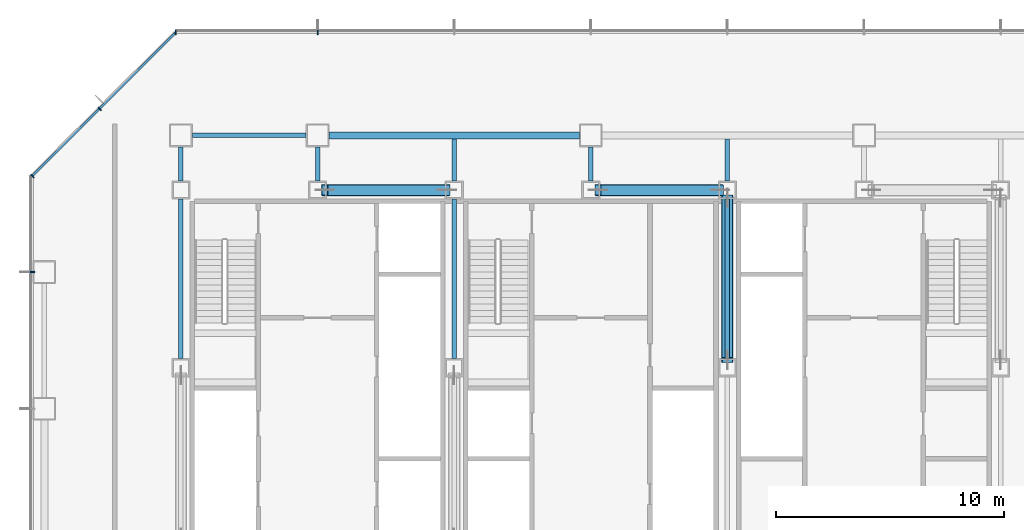
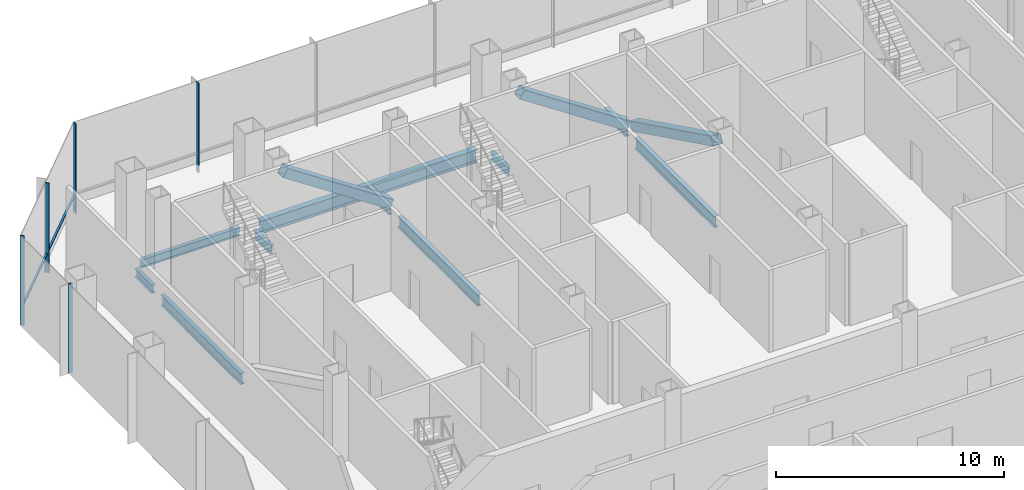
# One storey, part 13 of 33: 10 beams, 9 members, 3 elements without a shape of their own.
"""IFC4 building model written with IfcOpenShell, lengths in metres."""

from ifc_helpers import new_model, si_unit, direction, frame, origin, origin_2d, place, context, subcontext, project, spatial, rectangle, hollow_rectangle, i_section, extrude, material, material_profile, profile_set, type_object, element, aggregate, save


model = new_model("IFC4")

# Units and contexts
model_context = context("Model", 3, precision=1e-05, world=origin(), true_north=direction((0.0, 1.0)))
body_context = subcontext(model_context, "Body", "Model", "MODEL_VIEW")
ifc_project = project(units=[si_unit("LENGTHUNIT", "METRE"), si_unit("AREAUNIT", "SQUARE_METRE"), si_unit("VOLUMEUNIT", "CUBIC_METRE"), si_unit("PLANEANGLEUNIT", "RADIAN"), si_unit("MASSUNIT", "GRAM", prefix="KILO")], contexts=[model_context])

# Site, building, storey
site_placement = place(None, origin())
site = spatial("IfcSite", under=ifc_project, at=site_placement, CompositionType="ELEMENT")
building_placement = place(site_placement, origin())
building = spatial("IfcBuilding", under=site, at=building_placement, Name="Sorahane Residences", CompositionType="ELEMENT")
storey_placement = place(building_placement, frame((0.0, 0.0, 34.800048828125)))
storey = spatial("IfcBuildingStorey", under=building, at=storey_placement, Name="L05", CompositionType="ELEMENT", Elevation=34.800048828125)

# Members
ifc_material_1 = material(Name="Steel Q355B", Category="steel")
ifc_material_profile_1 = material_profile(ifc_material_1, hollow_rectangle(XDim=0.5, YDim=0.5, WallThickness=0.02490234375, InnerFilletRadius=0.012451171875, OuterFilletRadius=0.03759765625, at=origin_2d()), Name="RHS 500x500x25")
ifc_profile_set_1 = profile_set([ifc_material_profile_1], Name="Steel Q355B")
member_type_1 = type_object("IfcMemberType", Name="Core brace RHS 500x500x25 Q355B", PredefinedType="BRACE", material=ifc_profile_set_1)
for number, where, z_axis, x_axis, name in (
    (1, (17.682861328125, 45.60009765625, 0.19482421875), (-0.833273178454, 0.0, 0.552861474575), (0.0, -1.0, 0.0), "Core brace L05 y45.6-2"),
    (2, (29.682861328125, 45.60009765625, 0.19482421875), (-0.833273178454, 0.0, 0.552861474575), (0.0, -1.0, 0.0), "Core brace L05 y45.6-4"),
):
    element("IfcMember", number, at=place(storey_placement, frame(where, z_axis=z_axis, x_axis=x_axis)), inside=storey, type_object=member_type_1, Name=name, PredefinedType="BRACE", context=body_context, shape_type="SweptSolid", body=[
        extrude(hollow_rectangle(XDim=0.5, YDim=0.5, WallThickness=0.02490234375, InnerFilletRadius=0.012451171875, OuterFilletRadius=0.03759765625, at=origin_2d()), origin(), (0.0, 0.0, 1.0), 6.439453125),
    ])
member_1_placement = place(storey_placement, frame((30.0, 45.266357421875, 0.21728515625), z_axis=(0.0, -0.89697311716, 0.44208509033), x_axis=(1.0, 0.0, 0.0)))
element("IfcMember", 3, at=member_1_placement, inside=storey, type_object=member_type_1, Name="Core brace L05 x30-2", PredefinedType="BRACE", context=body_context, shape_type="SweptSolid", body=[
    extrude(hollow_rectangle(XDim=0.5, YDim=0.5, WallThickness=0.02490234375, InnerFilletRadius=0.012451171875, OuterFilletRadius=0.03759765625, at=origin_2d()), origin(), (0.0, 0.0, 1.0), 7.951904296875),
])

# Curtain wall, members
ifc_material_2 = material(Name="Dark low-e glass and black anodised aluminium", Category="aluminium")
curtain_wall_type = type_object("IfcCurtainWallType", Name="Curtain wall CW-3 Podium unitised wall", PredefinedType="NOTDEFINED", material=ifc_material_2)
curtain_wall_1_placement = place(storey_placement, origin())
curtain_wall_1 = element("IfcCurtainWall", 4, at=curtain_wall_1_placement, inside=storey, type_object=curtain_wall_type, Name="CW-3 curtain wall L05 N1", PredefinedType="NOTDEFINED")
ifc_material_3 = material(Name="Black anodised aluminium", Category="aluminium")
ifc_material_profile_2 = material_profile(ifc_material_3, rectangle(XDim=0.199951171875, YDim=0.050048828125, at=origin_2d()), Name="Curtain wall mullion CW-3 black anodised aluminium 50x200")
ifc_profile_set_2 = profile_set([ifc_material_profile_2], Name="Black anodised aluminium")
member_type_2 = type_object("IfcMemberType", Name="Curtain wall mullion CW-3 black anodised aluminium 50x200", PredefinedType="MULLION", material=ifc_profile_set_2)
member_2_placement = place(storey_placement, frame((12.0, 52.52001953125, -0.400146484375), z_axis=(0.0, 0.0, 1.0), x_axis=(0.0, 1.0, 0.0)))
member_2 = element("IfcMember", 5, at=member_2_placement, type_object=member_type_2, Name="CW-3 mullion L05 N1.12", PredefinedType="MULLION", context=body_context, shape_type="SweptSolid", body=[
    extrude(rectangle(XDim=0.199951171875, YDim=0.050048828125, at=origin_2d()), origin(), (0.0, 0.0, 1.0), 4.800048828125),
])
member_3_placement = place(storey_placement, frame((5.7763671875, 52.52001953125, -0.400146484375), z_axis=(0.0, 0.0, 1.0), x_axis=(0.0, 1.0, 0.0)))
member_3 = element("IfcMember", 6, at=member_3_placement, type_object=member_type_2, Name="CW-3 mullion L05 N1.13", PredefinedType="MULLION", context=body_context, shape_type="SweptSolid", body=[
    extrude(rectangle(XDim=0.199951171875, YDim=0.050048828125, at=origin_2d()), origin(), (0.0, 0.0, 1.0), 4.800048828125),
])
aggregate(curtain_wall_1, [member_2, member_3])

curtain_wall_2_placement = place(storey_placement, origin())
curtain_wall_2 = element("IfcCurtainWall", 7, at=curtain_wall_2_placement, inside=storey, type_object=curtain_wall_type, Name="CW-3 curtain wall L05 NW1", PredefinedType="NOTDEFINED")
member_4_placement = place(storey_placement, frame((2.432373046875, 49.167724609375, -0.400146484375), z_axis=(0.0, 0.0, 1.0), x_axis=(-0.707106781187, 0.707106781187, 0.0)))
member_4 = element("IfcMember", 8, at=member_4_placement, type_object=member_type_2, Name="CW-3 mullion L05 NW1.2", PredefinedType="MULLION", context=body_context, shape_type="SweptSolid", body=[
    extrude(rectangle(XDim=0.199951171875, YDim=0.050048828125, at=origin_2d()), origin(), (0.0, 0.0, 1.0), 4.800048828125),
])
member_5_placement = place(storey_placement, frame((-0.525634765625, 46.209716796875, -0.400146484375), z_axis=(0.0, 0.0, 1.0), x_axis=(-0.707106781187, 0.707106781187, 0.0)))
member_5 = element("IfcMember", 9, at=member_5_placement, type_object=member_type_2, Name="CW-3 mullion L05 NW1.3", PredefinedType="MULLION", context=body_context, shape_type="SweptSolid", body=[
    extrude(rectangle(XDim=0.199951171875, YDim=0.050048828125, at=origin_2d()), origin(), (0.0, 0.0, 1.0), 4.800048828125),
])

# Curtain wall, member
curtain_wall_3_placement = place(storey_placement, origin())
curtain_wall_3 = element("IfcCurtainWall", 10, at=curtain_wall_3_placement, inside=storey, type_object=curtain_wall_type, Name="CW-3 curtain wall L05 W1", PredefinedType="NOTDEFINED")
member_6_placement = place(storey_placement, frame((-0.52001953125, 42.0, -0.400146484375), z_axis=(0.0, 0.0, 1.0), x_axis=(-1.0, 0.0, 0.0)))
member_6 = element("IfcMember", 11, at=member_6_placement, type_object=member_type_2, Name="CW-3 mullion L05 W1.2", PredefinedType="MULLION", context=body_context, shape_type="SweptSolid", body=[
    extrude(rectangle(XDim=0.199951171875, YDim=0.050048828125, at=origin_2d()), origin(), (0.0, 0.0, 1.0), 4.800048828125),
])
aggregate(curtain_wall_3, [member_6])

# Member
ifc_material_4 = material(Name="Black anodised aluminium", Category="aluminium")
ifc_material_profile_3 = material_profile(ifc_material_4, rectangle(XDim=0.10009765625, YDim=0.06005859375, at=origin_2d()), Name="Curtain wall transom CW-3 black anodised aluminium 60x100")
ifc_profile_set_3 = profile_set([ifc_material_profile_3], Name="Black anodised aluminium")
member_type_3 = type_object("IfcMemberType", Name="Curtain wall transom CW-3 black anodised aluminium 60x100", PredefinedType="USERDEFINED", material=ifc_profile_set_3)
member_7_placement = place(storey_placement, frame((5.765625, 52.51513671875, 0.599853515625), z_axis=(-0.707106781187, -0.707106781187, 0.0), x_axis=(0.707106781187, -0.707106781187, 0.0)))
member_7 = element("IfcMember", 12, at=member_7_placement, type_object=member_type_3, Name="CW-3 transom L05 NW1", ObjectType="TRANSOM", PredefinedType="USERDEFINED", context=body_context, shape_type="SweptSolid", body=[
    extrude(rectangle(XDim=0.10009765625, YDim=0.06005859375, at=origin_2d()), origin(), (0.0, 0.0, 1.0), 8.88232421875),
])

aggregate(curtain_wall_2, [member_4, member_5, member_7])

# Beams
ifc_material_5 = material(Name="Steel Q355B", Category="steel")
ifc_material_profile_4 = material_profile(ifc_material_5, i_section(OverallWidth=0.199951171875, OverallDepth=0.449951171875, WebThickness=0.009033203125, FlangeThickness=0.013916015625, FilletRadius=0.02001953125, at=origin_2d()), Name="HN 450x200x9x14")
ifc_profile_set_4 = profile_set([ifc_material_profile_4], Name="Steel Q355B")
beam_type_1 = type_object("IfcBeamType", Name="Steel floor beam HN 450x200x9x14 Q355B", PredefinedType="BEAM", material=ifc_profile_set_4)
beam_1_placement = place(storey_placement, frame((6.5, 48.0, -0.625), z_axis=(1.0, 0.0, 0.0), x_axis=(0.0, 1.0, 0.0)))
element("IfcBeam", 13, at=beam_1_placement, inside=storey, type_object=beam_type_1, Name="Beam L05 018", PredefinedType="BEAM", context=body_context, shape_type="SweptSolid", body=[
    extrude(i_section(OverallWidth=0.199951171875, OverallDepth=0.449951171875, WebThickness=0.009033203125, FlangeThickness=0.013916015625, FilletRadius=0.02001953125, at=origin_2d()), origin(), (0.0, 0.0, 1.0), 5.0),
])
for number, where, z_axis, x_axis, name in (
    (14, (6.0, 46.0, -0.625), (0.0, 1.0, 0.0), (-1.0, 0.0, 0.0), "Beam L05 034"),
    (15, (12.0, 46.0, -0.625), (0.0, 1.0, 0.0), (-1.0, 0.0, 0.0), "Beam L05 037"),
):
    element("IfcBeam", number, at=place(storey_placement, frame(where, z_axis=z_axis, x_axis=x_axis)), inside=storey, type_object=beam_type_1, Name=name, PredefinedType="BEAM", context=body_context, shape_type="SweptSolid", body=[
        extrude(i_section(OverallWidth=0.199951171875, OverallDepth=0.449951171875, WebThickness=0.009033203125, FlangeThickness=0.013916015625, FilletRadius=0.02001953125, at=origin_2d()), origin(), (0.0, 0.0, 1.0), 1.5),
    ])
beam_2_placement = place(storey_placement, frame((18.0, 46.0, -0.625), z_axis=(0.0, 1.0, 0.0), x_axis=(-1.0, 0.0, 0.0)))
element("IfcBeam", 16, at=beam_2_placement, inside=storey, type_object=beam_type_1, Name="Beam L05 043", PredefinedType="BEAM", context=body_context, shape_type="SweptSolid", body=[
    extrude(i_section(OverallWidth=0.199951171875, OverallDepth=0.449951171875, WebThickness=0.009033203125, FlangeThickness=0.013916015625, FilletRadius=0.02001953125, at=origin_2d()), origin(), (0.0, 0.0, 1.0), 1.85009765625),
])
beam_3_placement = place(storey_placement, frame((24.0, 46.0, -0.625), z_axis=(0.0, 1.0, 0.0), x_axis=(-1.0, 0.0, 0.0)))
element("IfcBeam", 17, at=beam_3_placement, inside=storey, type_object=beam_type_1, Name="Beam L05 046", PredefinedType="BEAM", context=body_context, shape_type="SweptSolid", body=[
    extrude(i_section(OverallWidth=0.199951171875, OverallDepth=0.449951171875, WebThickness=0.009033203125, FlangeThickness=0.013916015625, FilletRadius=0.02001953125, at=origin_2d()), origin(), (0.0, 0.0, 1.0), 1.5),
])
beam_4_placement = place(storey_placement, frame((30.0, 46.0, -0.625), z_axis=(0.0, 1.0, 0.0), x_axis=(-1.0, 0.0, 0.0)))
element("IfcBeam", 18, at=beam_4_placement, inside=storey, type_object=beam_type_1, Name="Beam L05 052", PredefinedType="BEAM", context=body_context, shape_type="SweptSolid", body=[
    extrude(i_section(OverallWidth=0.199951171875, OverallDepth=0.449951171875, WebThickness=0.009033203125, FlangeThickness=0.013916015625, FilletRadius=0.02001953125, at=origin_2d()), origin(), (0.0, 0.0, 1.0), 1.85009765625),
])
ifc_material_6 = material(Name="Steel Q355B", Category="steel")
ifc_material_profile_5 = material_profile(ifc_material_6, i_section(OverallWidth=0.199951171875, OverallDepth=0.60009765625, WebThickness=0.010986328125, FlangeThickness=0.01708984375, FilletRadius=0.02392578125, at=origin_2d()), Name="HN 600x200x11x17")
ifc_profile_set_5 = profile_set([ifc_material_profile_5], Name="Steel Q355B")
beam_type_2 = type_object("IfcBeamType", Name="Steel floor beam HN 600x200x11x17 Q355B", PredefinedType="BEAM", material=ifc_profile_set_5)
for number, where, z_axis, x_axis, name in (
    (19, (6.0, 38.199951171875, -0.699951171875), (0.0, 1.0, 0.0), (-1.0, 0.0, 0.0), "Beam L05 033"),
    (20, (18.0, 38.199951171875, -0.699951171875), (0.0, 1.0, 0.0), (-1.0, 0.0, 0.0), "Beam L05 042"),
    (21, (30.0, 38.199951171875, -0.699951171875), (0.0, 1.0, 0.0), (-1.0, 0.0, 0.0), "Beam L05 051"),
):
    element("IfcBeam", number, at=place(storey_placement, frame(where, z_axis=z_axis, x_axis=x_axis)), inside=storey, type_object=beam_type_2, Name=name, PredefinedType="BEAM", context=body_context, shape_type="SweptSolid", body=[
        extrude(i_section(OverallWidth=0.199951171875, OverallDepth=0.60009765625, WebThickness=0.010986328125, FlangeThickness=0.01708984375, FilletRadius=0.02392578125, at=origin_2d()), origin(), (0.0, 0.0, 1.0), 7.0),
    ])
ifc_material_7 = material(Name="Steel Q355B", Category="steel")
ifc_material_profile_6 = material_profile(ifc_material_7, i_section(OverallWidth=0.300048828125, OverallDepth=0.699951171875, WebThickness=0.012939453125, FlangeThickness=0.02392578125, FilletRadius=0.028076171875, at=origin_2d()), Name="HN 700x300x13x24")
ifc_profile_set_6 = profile_set([ifc_material_profile_6], Name="Steel Q355B")
beam_type_3 = type_object("IfcBeamType", Name="Steel floor beam HN 700x300x13x24 Q355B", PredefinedType="BEAM", material=ifc_profile_set_6)
beam_5_placement = place(storey_placement, frame((12.5, 48.0, -0.75), z_axis=(1.0, 0.0, 0.0), x_axis=(0.0, 1.0, 0.0)))
element("IfcBeam", 22, at=beam_5_placement, inside=storey, type_object=beam_type_3, Name="Beam L05 019", PredefinedType="BEAM", context=body_context, shape_type="SweptSolid", body=[
    extrude(i_section(OverallWidth=0.300048828125, OverallDepth=0.699951171875, WebThickness=0.012939453125, FlangeThickness=0.02392578125, FilletRadius=0.028076171875, at=origin_2d()), origin(), (0.0, 0.0, 1.0), 11.0),
])

save(model, "model.ifc")
